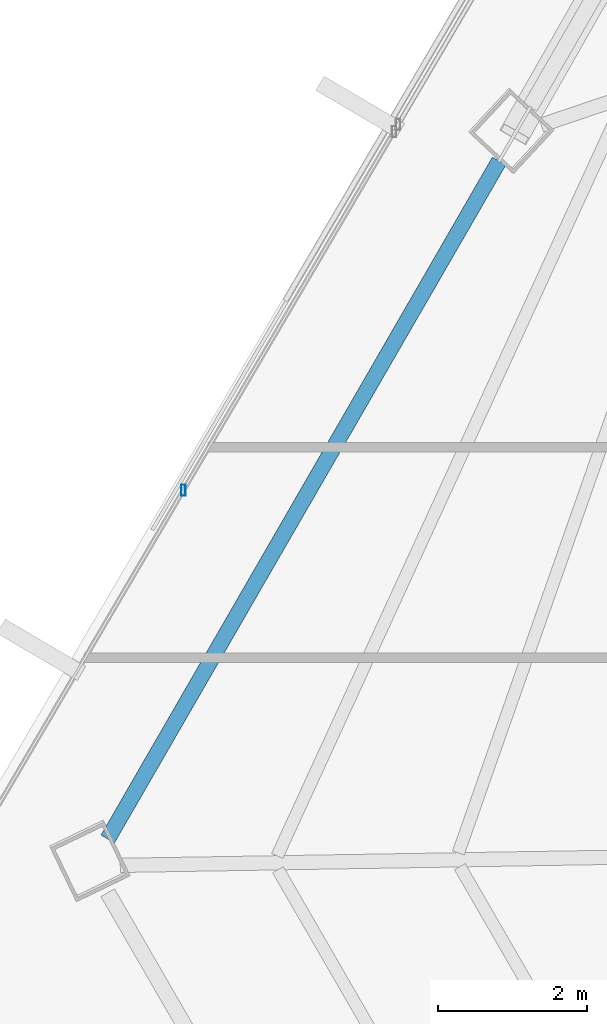
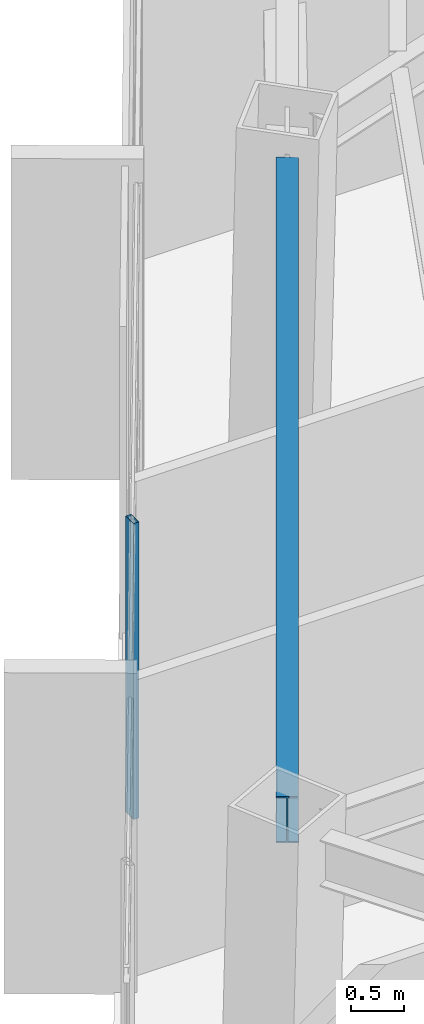
# One storey, part 10 of 44: 1 beam, 1 member, 1 element without a shape of its own.
"""IFC4 building model written with IfcOpenShell, lengths in metres."""

from ifc_helpers import new_model, si_unit, direction, frame, origin, origin_2d, place, context, subcontext, project, spatial, hollow_rectangle, i_section, extrude, source, transform, mapped, material, material_profile, profile_set, type_object, type_shapes, element, aggregate, save


model = new_model("IFC4")

# Units and contexts
model_context = context("Model", 3, precision=1e-05, world=origin(), true_north=direction((0.0, 1.0)))
body_context = subcontext(model_context, "Body", "Model", "MODEL_VIEW")
ifc_project = project(units=[si_unit("LENGTHUNIT", "METRE"), si_unit("AREAUNIT", "SQUARE_METRE"), si_unit("VOLUMEUNIT", "CUBIC_METRE"), si_unit("PLANEANGLEUNIT", "RADIAN"), si_unit("MASSUNIT", "GRAM", prefix="KILO")], contexts=[model_context])

# Site, building, storey
site_placement = place(None, origin())
site = spatial("IfcSite", under=ifc_project, at=site_placement, CompositionType="ELEMENT")
building_placement = place(site_placement, origin())
building = spatial("IfcBuilding", under=site, at=building_placement, Name="Caelisora Broadcast Tower", CompositionType="ELEMENT")
storey_placement = place(building_placement, frame((0.0, 0.0, 198.64990234375)))
storey = spatial("IfcBuildingStorey", under=building, at=storey_placement, Name="L52", CompositionType="ELEMENT", Elevation=198.64990234375)

# Beam
ifc_material_1 = material(Name="Steel Grade 350 (AS/NZS 3679.1)", Category="steel")
ifc_material_profile_1 = material_profile(ifc_material_1, i_section(OverallWidth=0.208984375, OverallDepth=0.532958984375, WebThickness=0.01025390625, FlangeThickness=0.015625, at=origin_2d()), Name="Steel Grade 350 (AS/NZS 3679.1)")
ifc_profile_set_1 = profile_set([ifc_material_profile_1], Name="Steel Grade 350 (AS/NZS 3679.1)")
beam_type = type_object("IfcBeamType", Name="PG05", PredefinedType="BEAM", material=ifc_profile_set_1)
shared_shape_1 = source(origin(), body_context, "Body", "SweptSolid", [
    extrude(i_section(OverallWidth=0.208984375, OverallDepth=0.532958984375, WebThickness=0.01025390625, FlangeThickness=0.015625, at=origin_2d()), origin(), (0.0, 0.0, 1.0), 10.4912109375),
])
type_shapes(beam_type, [shared_shape_1])
beam_placement = place(storey_placement, frame((21.330078125, 26.606201171875, 3.133544921875), z_axis=(-0.499998424538, -0.866026313376, 0.0), x_axis=(0.866026313376, -0.499998424538, 0.0)))
element("IfcBeam", 1, at=beam_placement, inside=storey, type_object=beam_type, Name="L52 beam PG05", PredefinedType="BEAM", context=body_context, shape_type="MappedRepresentation", body=[
    mapped(shared_shape_1, transform((0.0, 0.0, 0.0), scale=1.0)),
])

# Curtain wall, member
ifc_material_2 = material(Name="Unitised Aluminium and Low-E Glass Curtain Wall", Category="glass")
curtain_wall_type = type_object("IfcCurtainWallType", Name="CW-Z4", PredefinedType="NOTDEFINED", material=ifc_material_2)
curtain_wall_placement = place(storey_placement, origin())
curtain_wall = element("IfcCurtainWall", 2, at=curtain_wall_placement, inside=storey, type_object=curtain_wall_type, Name="L52 curtain wall CW-Z4", PredefinedType="NOTDEFINED")
ifc_material_3 = material(Name="Aluminium 6063-T6 Anodised Terracotta Bronze", Category="aluminium")
ifc_material_profile_2 = material_profile(ifc_material_3, hollow_rectangle(XDim=0.06005859375, YDim=0.14990234375, WallThickness=0.00341796875, at=origin_2d()), Name="Aluminium 6063-T6 Anodised Terracotta Bronze")
ifc_profile_set_2 = profile_set([ifc_material_profile_2], Name="Aluminium 6063-T6 Anodised Terracotta Bronze")
member_type = type_object("IfcMemberType", Name="CWM-03", PredefinedType="MULLION", material=ifc_profile_set_2)
shared_shape_2 = source(origin(), body_context, "Body", "SweptSolid", [
    extrude(hollow_rectangle(XDim=0.06005859375, YDim=0.14990234375, WallThickness=0.00341796875, at=origin_2d()), origin(), (0.0, 0.0, 1.0), 3.400146484375),
])
type_shapes(member_type, [shared_shape_2])
member_placement = place(storey_placement, frame((17.099365234375, 22.194580078125, 0.0), z_axis=(0.0, 0.0, 1.0), x_axis=(1.0, 0.0, 0.0)))
member = element("IfcMember", 3, at=member_placement, type_object=member_type, Name="L52-CW-B09 mullion #2", PredefinedType="MULLION", context=body_context, shape_type="MappedRepresentation", body=[
    mapped(shared_shape_2, transform((0.0, 0.0, 0.0), scale=1.0)),
])
aggregate(curtain_wall, [member])

save(model, "model.ifc")
